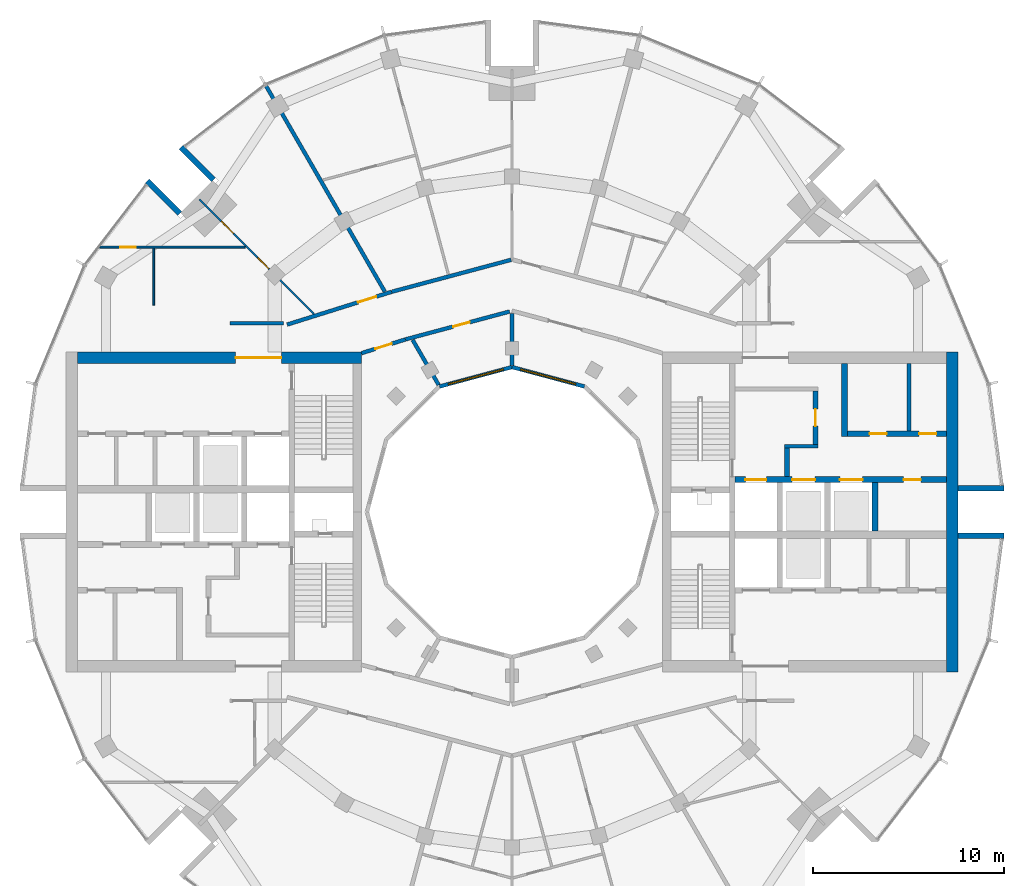
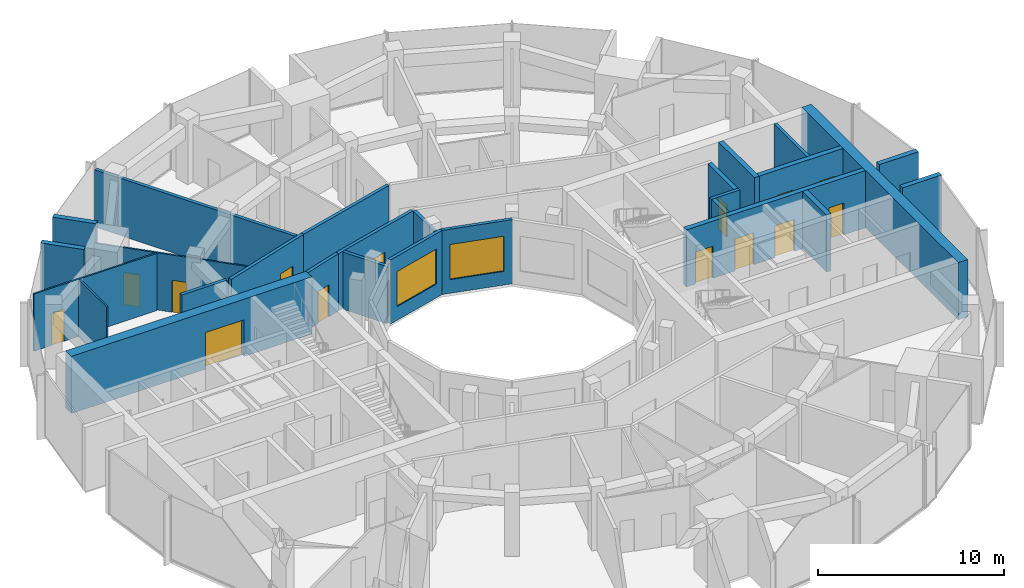
# One storey, part 11 of 15: 27 walls, 14 doors, 2 windows, 16 openings.
"""IFC4 building model written with IfcOpenShell, lengths in metres."""

from ifc_helpers import new_model, si_unit, direction, frame, frame_2d, origin, place, context, subcontext, project, spatial, rectangle, extrude, material, layer, layer_set, type_object, element, fill, save


model = new_model("IFC4")

# Units and contexts
model_context = context("Model", 3, precision=1e-05, world=origin(), true_north=direction((0.0, 1.0)))
body_context = subcontext(model_context, "Body", "Model", "MODEL_VIEW")
ifc_project = project(units=[si_unit("LENGTHUNIT", "METRE"), si_unit("AREAUNIT", "SQUARE_METRE"), si_unit("VOLUMEUNIT", "CUBIC_METRE"), si_unit("PLANEANGLEUNIT", "RADIAN"), si_unit("MASSUNIT", "GRAM", prefix="KILO")], contexts=[model_context])

# Site, building, storey
site_placement = place(None, origin())
site = spatial("IfcSite", under=ifc_project, at=site_placement, CompositionType="ELEMENT")
building_placement = place(site_placement, origin())
building = spatial("IfcBuilding", under=site, at=building_placement, Name="Torre Brocal", CompositionType="ELEMENT")
storey_placement = place(building_placement, frame((0.0, 0.0, 266.699951171875)))
storey = spatial("IfcBuildingStorey", under=building, at=storey_placement, Name="L61", CompositionType="ELEMENT", Elevation=266.699951171875)

# Walls
ifc_material_1 = material(Name="Masonry block", Category="masonry")
ifc_layer_1 = layer(ifc_material_1, 0.199951171875)
ifc_layer_set_1 = layer_set([ifc_layer_1], Name="Masonry block")
wall_type_1 = type_object("IfcWallType", Name="CORE PARTITION 200 UNDER 450 SLAB", PredefinedType="PARTITIONING", material=ifc_layer_set_1)
wall_1_placement = place(storey_placement, frame((100.823974609375, 79.25, 0.0), z_axis=(0.0, 0.0, 1.0), x_axis=(0.0, 1.0, 0.0)))
element("IfcWall", 1, at=wall_1_placement, inside=storey, type_object=wall_type_1, Name="Wall CP200-S450", PredefinedType="PARTITIONING", context=body_context, shape_type="SweptSolid", body=[
    extrude(rectangle(XDim=3.550048828125, YDim=0.199951171875, at=frame_2d((1.77490234375, 0.0))), origin(), (0.0, 0.0, 1.0), 3.75),
])
ifc_material_2 = material(Name="Concrete C60", Category="concrete")
ifc_layer_2 = layer(ifc_material_2, 0.199951171875)
ifc_layer_set_2 = layer_set([ifc_layer_2], Name="Concrete C60")
wall_type_2 = type_object("IfcWallType", Name="CORE WALL 200 C60 UNDER 450 SLAB", PredefinedType="SHEAR", material=ifc_layer_set_2)
wall_2_placement = place(storey_placement, frame((94.300048828125, 78.449951171875, 0.0), z_axis=(0.0, 0.0, 1.0), x_axis=(1.0, 0.0, 0.0)))
element("IfcWall", 2, at=wall_2_placement, inside=storey, type_object=wall_type_2, Name="Wall CW200-60-S450", PredefinedType="SHEAR", context=body_context, shape_type="SweptSolid", body=[
    extrude(rectangle(XDim=1.75, YDim=0.199951171875, at=frame_2d((0.875, 0.0))), origin(), (0.0, 0.0, 1.0), 3.75),
])

# Wall, opening, door
ifc_material_3 = material(Name="Concrete C60", Category="concrete")
ifc_layer_3 = layer(ifc_material_3, 0.25)
ifc_layer_set_3 = layer_set([ifc_layer_3], Name="Concrete C60")
wall_type_3 = type_object("IfcWallType", Name="CORE WALL 250 C60 UNDER 450 SLAB", PredefinedType="SHEAR", material=ifc_layer_set_3)
wall_3_placement = place(storey_placement, frame((95.925048828125, 78.550048828125, 0.0), z_axis=(0.0, 0.0, 1.0), x_axis=(0.0, 1.0, 0.0)))
wall_3 = element("IfcWall", 3, at=wall_3_placement, inside=storey, type_object=wall_type_3, Name="Wall CW250-60-S450", PredefinedType="SHEAR", context=body_context, shape_type="SweptSolid", body=[
    extrude(rectangle(XDim=2.800048828125, YDim=0.25, at=frame_2d((1.39990234375, 0.0))), origin(), (0.0, 0.0, 1.0), 3.75),
])
opening_1_placement = place(wall_3_placement, frame((0.949951171875, 0.0, 0.0)))
opening_1 = element("IfcOpeningElement", 4, at=opening_1_placement, cuts=wall_3, Name="Opening E-D08", PredefinedType="OPENING", context=body_context, shape_type="SweptSolid", body=[
    extrude(rectangle(XDim=0.89990234375, YDim=2.10009765625, at=frame_2d((0.449951171875, 1.050048828125))), frame((0.0, 0.135009765625, 0.0), z_axis=(0.0, -1.0, 0.0), x_axis=(1.0, 0.0, 0.0)), (0.0, 0.0, 1.0), 0.27001953125),
])
ifc_material_4 = material(Name="Steel A653", Category="steel")
door_type_1 = type_object("IfcDoorType", Name="LOBBY DOOR FD120 900X2100", OperationType="SINGLE_SWING_RIGHT", PredefinedType="DOOR", material=ifc_material_4)
door_1_placement = place(opening_1_placement, origin())
door_1 = element("IfcDoor", 5, at=door_1_placement, inside=storey, type_object=door_type_1, Name="Door E-D08", OperationType="SINGLE_SWING_LEFT", OverallHeight=2.10009765625, OverallWidth=0.89990234375, PredefinedType="DOOR", context=body_context, shape_type="SweptSolid", body=[
    extrude(rectangle(XDim=0.89990234375, YDim=2.10009765625, at=frame_2d((0.449951171875, 1.050048828125))), frame((0.0, 0.02490234375, 0.0), z_axis=(0.0, -1.0, 0.0), x_axis=(1.0, 0.0, 0.0)), (0.0, 0.0, 1.0), 0.050048828125),
])
fill(opening_1, door_1)

# Wall
wall_4_placement = place(storey_placement, frame((94.425048828125, 76.85009765625, 0.0), z_axis=(0.0, 0.0, 1.0), x_axis=(0.0, 1.0, 0.0)))
element("IfcWall", 6, at=wall_4_placement, inside=storey, type_object=wall_type_3, Name="Wall CW250-60-S450", PredefinedType="SHEAR", context=body_context, shape_type="SweptSolid", body=[
    extrude(rectangle(XDim=1.5, YDim=0.25, at=frame_2d((0.75, 0.0))), origin(), (0.0, 0.0, 1.0), 3.75),
])

# Wall, openings, doors
ifc_material_5 = material(Name="Concrete C60", Category="concrete")
ifc_layer_4 = layer(ifc_material_5, 0.300048828125)
ifc_layer_set_4 = layer_set([ifc_layer_4], Name="Concrete C60")
wall_type_4 = type_object("IfcWallType", Name="CORE WALL 300 C60 UNDER 450 SLAB", PredefinedType="SHEAR", material=ifc_layer_set_4)
wall_5_placement = place(storey_placement, frame((91.699951171875, 76.699951171875, 0.0), z_axis=(0.0, 0.0, 1.0), x_axis=(1.0, 0.0, 0.0)))
wall_5 = element("IfcWall", 7, at=wall_5_placement, inside=storey, type_object=wall_type_4, Name="Wall CW300-60-S450", PredefinedType="SHEAR", context=body_context, shape_type="SweptSolid", body=[
    extrude(rectangle(XDim=11.10009765625, YDim=0.300048828125, at=frame_2d((5.550048828125, 0.0))), origin(), (0.0, 0.0, 1.0), 3.75),
])
opening_2_placement = place(wall_5_placement, frame((0.550048828125, 0.0, 0.0)))
opening_2 = element("IfcOpeningElement", 8, at=opening_2_placement, cuts=wall_5, Name="Opening LD", PredefinedType="OPENING", context=body_context, shape_type="SweptSolid", body=[
    extrude(rectangle(XDim=1.10009765625, YDim=2.10009765625, at=frame_2d((0.550048828125, 1.050048828125))), frame((0.0, 0.159912109375, 0.0), z_axis=(0.0, -1.0, 0.0), x_axis=(1.0, 0.0, 0.0)), (0.0, 0.0, 1.0), 0.320068359375),
])
opening_3_placement = place(wall_5_placement, frame((3.0, 0.0, 0.0)))
opening_3 = element("IfcOpeningElement", 9, at=opening_3_placement, cuts=wall_5, Name="Opening LD12", PredefinedType="OPENING", context=body_context, shape_type="SweptSolid", body=[
    extrude(rectangle(XDim=1.199951171875, YDim=2.10009765625, at=frame_2d((0.60009765625, 1.050048828125))), frame((0.0, 0.159912109375, 0.0), z_axis=(0.0, -1.0, 0.0), x_axis=(1.0, 0.0, 0.0)), (0.0, 0.0, 1.0), 0.320068359375),
])
opening_4_placement = place(wall_5_placement, frame((5.5, 0.0, 0.0)))
opening_4 = element("IfcOpeningElement", 10, at=opening_4_placement, cuts=wall_5, Name="Opening LD12", PredefinedType="OPENING", context=body_context, shape_type="SweptSolid", body=[
    extrude(rectangle(XDim=1.199951171875, YDim=2.10009765625, at=frame_2d((0.60009765625, 1.050048828125))), frame((0.0, 0.159912109375, 0.0), z_axis=(0.0, -1.0, 0.0), x_axis=(1.0, 0.0, 0.0)), (0.0, 0.0, 1.0), 0.320068359375),
])
opening_5_placement = place(wall_5_placement, frame((8.85009765625, 0.0, 0.0)))
opening_5 = element("IfcOpeningElement", 11, at=opening_5_placement, cuts=wall_5, Name="Opening E-D04", PredefinedType="OPENING", context=body_context, shape_type="SweptSolid", body=[
    extrude(rectangle(XDim=0.89990234375, YDim=2.10009765625, at=frame_2d((0.449951171875, 1.050048828125))), frame((0.0, 0.159912109375, 0.0), z_axis=(0.0, -1.0, 0.0), x_axis=(1.0, 0.0, 0.0)), (0.0, 0.0, 1.0), 0.320068359375),
])
ifc_material_6 = material(Name="Stainless steel AISI 316", Category="steel")
door_type_2 = type_object("IfcDoorType", Name="LIFT LANDING DOOR 1100X2100", OperationType="DOUBLE_DOOR_SLIDING", PredefinedType="DOOR", material=ifc_material_6)
door_2_placement = place(opening_2_placement, origin())
door_2 = element("IfcDoor", 12, at=door_2_placement, inside=storey, type_object=door_type_2, Name="Door LD", OperationType="DOUBLE_DOOR_SLIDING", OverallHeight=2.10009765625, OverallWidth=1.10009765625, PredefinedType="DOOR", context=body_context, shape_type="SweptSolid", body=[
    extrude(rectangle(XDim=1.10009765625, YDim=2.10009765625, at=frame_2d((0.550048828125, 1.050048828125))), frame((0.0, 0.02490234375, 0.0), z_axis=(0.0, -1.0, 0.0), x_axis=(1.0, 0.0, 0.0)), (0.0, 0.0, 1.0), 0.050048828125),
])
fill(opening_2, door_2)
ifc_material_7 = material(Name="Stainless steel AISI 316", Category="steel")
door_type_3 = type_object("IfcDoorType", Name="LIFT LANDING DOOR 1200X2100", OperationType="DOUBLE_DOOR_SLIDING", PredefinedType="DOOR", material=ifc_material_7)
door_3_placement = place(opening_3_placement, origin())
door_3 = element("IfcDoor", 13, at=door_3_placement, inside=storey, type_object=door_type_3, Name="Door LD12", OperationType="DOUBLE_DOOR_SLIDING", OverallHeight=2.10009765625, OverallWidth=1.199951171875, PredefinedType="DOOR", context=body_context, shape_type="SweptSolid", body=[
    extrude(rectangle(XDim=1.199951171875, YDim=2.10009765625, at=frame_2d((0.60009765625, 1.050048828125))), frame((0.0, 0.02490234375, 0.0), z_axis=(0.0, -1.0, 0.0), x_axis=(1.0, 0.0, 0.0)), (0.0, 0.0, 1.0), 0.050048828125),
])
fill(opening_3, door_3)
door_4_placement = place(opening_4_placement, origin())
door_4 = element("IfcDoor", 14, at=door_4_placement, inside=storey, type_object=door_type_3, Name="Door LD12", OperationType="DOUBLE_DOOR_SLIDING", OverallHeight=2.10009765625, OverallWidth=1.199951171875, PredefinedType="DOOR", context=body_context, shape_type="SweptSolid", body=[
    extrude(rectangle(XDim=1.199951171875, YDim=2.10009765625, at=frame_2d((0.60009765625, 1.050048828125))), frame((0.0, 0.02490234375, 0.0), z_axis=(0.0, -1.0, 0.0), x_axis=(1.0, 0.0, 0.0)), (0.0, 0.0, 1.0), 0.050048828125),
])
fill(opening_4, door_4)
ifc_material_8 = material(Name="Steel A653", Category="steel")
door_type_4 = type_object("IfcDoorType", Name="ROOM DOOR FD30S 900X2100", OperationType="SINGLE_SWING_LEFT", PredefinedType="DOOR", material=ifc_material_8)
door_5_placement = place(opening_5_placement, frame((0.89990234375, 0.0, 0.0), z_axis=(0.0, 0.0, 1.0), x_axis=(-1.0, 0.0, 0.0)))
door_5 = element("IfcDoor", 15, at=door_5_placement, inside=storey, type_object=door_type_4, Name="Door E-D04", OperationType="SINGLE_SWING_LEFT", OverallHeight=2.10009765625, OverallWidth=0.89990234375, PredefinedType="DOOR", context=body_context, shape_type="SweptSolid", body=[
    extrude(rectangle(XDim=0.89990234375, YDim=2.10009765625, at=frame_2d((0.449951171875, 1.050048828125))), frame((0.0, 0.02490234375, 0.0), z_axis=(0.0, -1.0, 0.0), x_axis=(1.0, 0.0, 0.0)), (0.0, 0.0, 1.0), 0.050048828125),
])
fill(opening_5, door_5)

# Walls
wall_6_placement = place(storey_placement, frame((99.050048828125, 74.0, 0.0), z_axis=(0.0, 0.0, 1.0), x_axis=(0.0, 1.0, 0.0)))
element("IfcWall", 16, at=wall_6_placement, inside=storey, type_object=wall_type_4, Name="Wall CW300-60-S450", PredefinedType="SHEAR", context=body_context, shape_type="SweptSolid", body=[
    extrude(rectangle(XDim=2.550048828125, YDim=0.300048828125, at=frame_2d((1.27490234375, 0.0))), origin(), (0.0, 0.0, 1.0), 3.75),
])
wall_7_placement = place(storey_placement, frame((97.449951171875, 78.949951171875, 0.0), z_axis=(0.0, 0.0, 1.0), x_axis=(0.0, 1.0, 0.0)))
element("IfcWall", 17, at=wall_7_placement, inside=storey, type_object=wall_type_4, Name="Wall CW300-60-S450", PredefinedType="SHEAR", context=body_context, shape_type="SweptSolid", body=[
    extrude(rectangle(XDim=3.85009765625, YDim=0.300048828125, at=frame_2d((1.925048828125, 0.0))), origin(), (0.0, 0.0, 1.0), 3.75),
])

# Wall, openings, doors
wall_8_placement = place(storey_placement, frame((97.60009765625, 79.10009765625, 0.0), z_axis=(0.0, 0.0, 1.0), x_axis=(1.0, 0.0, 0.0)))
wall_8 = element("IfcWall", 18, at=wall_8_placement, inside=storey, type_object=wall_type_4, Name="Wall CW300-60-S450", PredefinedType="SHEAR", context=body_context, shape_type="SweptSolid", body=[
    extrude(rectangle(XDim=5.199951171875, YDim=0.300048828125, at=frame_2d((2.60009765625, 0.0))), origin(), (0.0, 0.0, 1.0), 3.75),
])
opening_6_placement = place(wall_8_placement, frame((1.162109375, 0.0, 0.0)))
opening_6 = element("IfcOpeningElement", 19, at=opening_6_placement, cuts=wall_8, Name="Opening E-D09", PredefinedType="OPENING", context=body_context, shape_type="SweptSolid", body=[
    extrude(rectangle(XDim=0.89990234375, YDim=2.10009765625, at=frame_2d((0.449951171875, 1.050048828125))), frame((0.0, 0.159912109375, 0.0), z_axis=(0.0, -1.0, 0.0), x_axis=(1.0, 0.0, 0.0)), (0.0, 0.0, 1.0), 0.320068359375),
])
opening_7_placement = place(wall_8_placement, frame((3.761962890625, 0.0, 0.0)))
opening_7 = element("IfcOpeningElement", 20, at=opening_7_placement, cuts=wall_8, Name="Opening E-D10", PredefinedType="OPENING", context=body_context, shape_type="SweptSolid", body=[
    extrude(rectangle(XDim=0.89990234375, YDim=2.10009765625, at=frame_2d((0.449951171875, 1.050048828125))), frame((0.0, 0.159912109375, 0.0), z_axis=(0.0, -1.0, 0.0), x_axis=(1.0, 0.0, 0.0)), (0.0, 0.0, 1.0), 0.320068359375),
])
door_6_placement = place(opening_6_placement, origin())
door_6 = element("IfcDoor", 21, at=door_6_placement, inside=storey, type_object=door_type_4, Name="Door E-D09", OperationType="SINGLE_SWING_RIGHT", OverallHeight=2.10009765625, OverallWidth=0.89990234375, PredefinedType="DOOR", context=body_context, shape_type="SweptSolid", body=[
    extrude(rectangle(XDim=0.89990234375, YDim=2.10009765625, at=frame_2d((0.449951171875, 1.050048828125))), frame((0.0, 0.02490234375, 0.0), z_axis=(0.0, -1.0, 0.0), x_axis=(1.0, 0.0, 0.0)), (0.0, 0.0, 1.0), 0.050048828125),
])
fill(opening_6, door_6)
door_7_placement = place(opening_7_placement, origin())
door_7 = element("IfcDoor", 22, at=door_7_placement, inside=storey, type_object=door_type_4, Name="Door E-D10", OperationType="SINGLE_SWING_LEFT", OverallHeight=2.10009765625, OverallWidth=0.89990234375, PredefinedType="DOOR", context=body_context, shape_type="SweptSolid", body=[
    extrude(rectangle(XDim=0.89990234375, YDim=2.10009765625, at=frame_2d((0.449951171875, 1.050048828125))), frame((0.0, 0.02490234375, 0.0), z_axis=(0.0, -1.0, 0.0), x_axis=(1.0, 0.0, 0.0)), (0.0, 0.0, 1.0), 0.050048828125),
])
fill(opening_7, door_7)

# Wall
ifc_material_9 = material(Name="Concrete C60", Category="concrete")
ifc_layer_5 = layer(ifc_material_9, 0.60009765625)
ifc_layer_set_5 = layer_set([ifc_layer_5], Name="Concrete C60")
wall_type_5 = type_object("IfcWallType", Name="CORE WALL 600 C60 UNDER 450 SLAB", PredefinedType="SHEAR", material=ifc_layer_set_5)
wall_9_placement = place(storey_placement, frame((103.10009765625, 66.60009765625, 0.0), z_axis=(0.0, 0.0, 1.0), x_axis=(0.0, 1.0, 0.0)))
element("IfcWall", 23, at=wall_9_placement, inside=storey, type_object=wall_type_5, Name="Wall CW600-60-S450", PredefinedType="SHEAR", context=body_context, shape_type="SweptSolid", body=[
    extrude(rectangle(XDim=16.7998046875, YDim=0.60009765625, at=frame_2d((8.39990234375, 0.0))), origin(), (0.0, 0.0, 1.0), 3.75),
])

# Wall, opening, door
wall_10_placement = place(storey_placement, frame((72.10009765625, 83.10009765625, 0.0), z_axis=(0.0, 0.0, 1.0), x_axis=(-1.0, 0.0, 0.0)))
wall_10 = element("IfcWall", 24, at=wall_10_placement, inside=storey, type_object=wall_type_5, Name="Wall CW600-60-S450", PredefinedType="SHEAR", context=body_context, shape_type="SweptSolid", body=[
    extrude(rectangle(XDim=14.900146484375, YDim=0.60009765625, at=frame_2d((7.4501953125, 0.0))), origin(), (0.0, 0.0, 1.0), 3.75),
])
opening_8_placement = place(wall_10_placement, frame((4.199951171875, 0.0, 0.0)))
opening_8 = element("IfcOpeningElement", 25, at=opening_8_placement, cuts=wall_10, Name="Opening W-D12", PredefinedType="OPENING", context=body_context, shape_type="SweptSolid", body=[
    extrude(rectangle(XDim=2.39990234375, YDim=2.39990234375, at=frame_2d((1.199951171875, 1.199951171875))), frame((0.0, 0.31005859375, 0.0), z_axis=(0.0, -1.0, 0.0), x_axis=(1.0, 0.0, 0.0)), (0.0, 0.0, 1.0), 0.6201171875),
])
ifc_material_10 = material(Name="Steel A653", Category="steel")
door_type_5 = type_object("IfcDoorType", Name="DOUBLE FIRE DOOR FD90 2400X2400", OperationType="DOUBLE_DOOR_SINGLE_SWING", PredefinedType="DOOR", material=ifc_material_10)
door_8_placement = place(opening_8_placement, origin())
door_8 = element("IfcDoor", 26, at=door_8_placement, inside=storey, type_object=door_type_5, Name="Door W-D12", OperationType="DOUBLE_DOOR_SINGLE_SWING", OverallHeight=2.39990234375, OverallWidth=2.39990234375, PredefinedType="DOOR", context=body_context, shape_type="SweptSolid", body=[
    extrude(rectangle(XDim=2.39990234375, YDim=2.39990234375, at=frame_2d((1.199951171875, 1.199951171875))), frame((0.0, 0.02490234375, 0.0), z_axis=(0.0, -1.0, 0.0), x_axis=(1.0, 0.0, 0.0)), (0.0, 0.0, 1.0), 0.050048828125),
])
fill(opening_8, door_8)

# Walls
ifc_material_11 = material(Name="Concrete C60", Category="concrete")
ifc_layer_6 = layer(ifc_material_11, 0.300048828125)
ifc_layer_set_6 = layer_set([ifc_layer_6], Name="Concrete C60")
wall_type_6 = type_object("IfcWallType", Name="NOTCH RETURN WALL 300 C60", PredefinedType="NOTDEFINED", material=ifc_layer_set_6)
for number, where, z_axis, x_axis, name in (
    (27, (103.39990234375, 73.75, 0.0), (0.0, 0.0, 1.0), (1.0, 0.0, 0.0), "NOTCH RETURN WALL"),
    (28, (103.39990234375, 76.25, 0.0), (0.0, 0.0, 1.0), (1.0, 0.0, 0.0), "NOTCH RETURN WALL"),
    (29, (64.337646484375, 92.43017578125, 0.0), (0.0, 0.0, 1.0), (-0.707106781187, 0.707106781187, 0.0), "NOTCH RETURN WALL"),
    (30, (62.56982421875, 90.662353515625, 0.0), (0.0, 0.0, 1.0), (-0.707106781187, 0.707106781187, 0.0), "NOTCH RETURN WALL"),
):
    element("IfcWall", number, at=place(storey_placement, frame(where, z_axis=z_axis, x_axis=x_axis)), inside=storey, type_object=wall_type_6, Name=name, PredefinedType="NOTDEFINED", context=body_context, shape_type="SweptSolid", body=[
        extrude(rectangle(XDim=2.415771484375, YDim=0.300048828125, at=frame_2d((1.2080078125, 0.0))), origin(), (0.0, 0.0, 1.0), 4.199951171875),
    ])

# Wall, opening, door
ifc_material_12 = material(Name="Gypsum board", Category="Gypsum")
ifc_layer_7 = layer(ifc_material_12, 0.10009765625)
ifc_layer_set_7 = layer_set([ifc_layer_7], Name="Gypsum board")
wall_type_7 = type_object("IfcWallType", Name="PARTITION 100", PredefinedType="PARTITIONING", material=ifc_layer_set_7)
wall_11_placement = place(storey_placement, frame((58.37890625, 88.89990234375, 0.0), z_axis=(0.0, 0.0, 1.0), x_axis=(1.0, 0.0, 0.0)))
wall_11 = element("IfcWall", 31, at=wall_11_placement, inside=storey, type_object=wall_type_7, Name="BATHROOM WALL", PredefinedType="PARTITIONING", context=body_context, shape_type="SweptSolid", body=[
    extrude(rectangle(XDim=7.612060546875, YDim=0.10009765625, at=frame_2d((3.80615234375, 0.0))), origin(), (0.0, 0.0, 1.0), 3.75),
])
opening_9_placement = place(wall_11_placement, frame((1.075439453125, 0.0, 0.0)))
opening_9 = element("IfcOpeningElement", 32, at=opening_9_placement, cuts=wall_11, Name="Opening B05-D15", PredefinedType="OPENING", context=body_context, shape_type="SweptSolid", body=[
    extrude(rectangle(XDim=0.800048828125, YDim=2.10009765625, at=frame_2d((0.39990234375, 1.050048828125))), frame((0.0, 0.06005859375, 0.0), z_axis=(0.0, -1.0, 0.0), x_axis=(1.0, 0.0, 0.0)), (0.0, 0.0, 1.0), 0.1201171875),
])
ifc_material_13 = material(Name="Timber", Category="wood")
door_type_6 = type_object("IfcDoorType", Name="BATHROOM DOOR 800X2100", OperationType="SINGLE_SWING_LEFT", PredefinedType="DOOR", material=ifc_material_13)
door_9_placement = place(opening_9_placement, frame((0.800048828125, 0.0, 0.0), z_axis=(0.0, 0.0, 1.0), x_axis=(-1.0, 0.0, 0.0)))
door_9 = element("IfcDoor", 33, at=door_9_placement, inside=storey, type_object=door_type_6, Name="B05-D15", OperationType="SINGLE_SWING_LEFT", OverallHeight=2.10009765625, OverallWidth=0.800048828125, PredefinedType="DOOR", context=body_context, shape_type="SweptSolid", body=[
    extrude(rectangle(XDim=0.800048828125, YDim=2.10009765625, at=frame_2d((0.39990234375, 1.050048828125))), frame((0.0, 0.02490234375, 0.0), z_axis=(0.0, -1.0, 0.0), x_axis=(1.0, 0.0, 0.0)), (0.0, 0.0, 1.0), 0.050048828125),
])
fill(opening_9, door_9)

# Wall
wall_12_placement = place(storey_placement, frame((61.199951171875, 85.85498046875, 0.0), z_axis=(0.0, 0.0, 1.0), x_axis=(0.0, 1.0, 0.0)))
element("IfcWall", 34, at=wall_12_placement, inside=storey, type_object=wall_type_7, Name="BATHROOM WALL", PredefinedType="PARTITIONING", context=body_context, shape_type="SweptSolid", body=[
    extrude(rectangle(XDim=2.9951171875, YDim=0.10009765625, at=frame_2d((1.49755859375, 0.0))), origin(), (0.0, 0.0, 1.0), 3.75),
])

# Wall, openings, doors
wall_13_placement = place(storey_placement, frame((63.598388671875, 91.408203125, 0.0), z_axis=(0.0, 0.0, 1.0), x_axis=(0.706905682311, -0.707307822886, 0.0)))
wall_13 = element("IfcWall", 35, at=wall_13_placement, inside=storey, type_object=wall_type_7, Name="BATHROOM WALL", PredefinedType="PARTITIONING", context=body_context, shape_type="SweptSolid", body=[
    extrude(rectangle(XDim=8.49951171875, YDim=0.10009765625, at=frame_2d((4.249755859375, 0.0))), origin(), (0.0, 0.0, 1.0), 3.75),
])
opening_10_placement = place(wall_13_placement, frame((1.6318359375, 0.0, 0.0)))
opening_10 = element("IfcOpeningElement", 36, at=opening_10_placement, cuts=wall_13, Name="Opening B05-D14", PredefinedType="OPENING", context=body_context, shape_type="SweptSolid", body=[
    extrude(rectangle(XDim=0.89990234375, YDim=2.10009765625, at=frame_2d((0.449951171875, 1.050048828125))), frame((0.0, 0.06005859375, 0.0), z_axis=(0.0, -1.0, 0.0), x_axis=(1.0, 0.0, 0.0)), (0.0, 0.0, 1.0), 0.1201171875),
])
opening_11_placement = place(wall_13_placement, frame((4.336181640625, 0.0, 0.0)))
opening_11 = element("IfcOpeningElement", 37, at=opening_11_placement, cuts=wall_13, Name="Opening B05-D16", PredefinedType="OPENING", context=body_context, shape_type="SweptSolid", body=[
    extrude(rectangle(XDim=0.800048828125, YDim=2.10009765625, at=frame_2d((0.39990234375, 1.050048828125))), frame((0.0, 0.06005859375, 0.0), z_axis=(0.0, -1.0, 0.0), x_axis=(1.0, 0.0, 0.0)), (0.0, 0.0, 1.0), 0.1201171875),
])
door_10_placement = place(opening_11_placement, frame((0.800048828125, 0.0, 0.0), z_axis=(0.0, 0.0, 1.0), x_axis=(-1.0, 0.0, 0.0)))
door_10 = element("IfcDoor", 38, at=door_10_placement, inside=storey, type_object=door_type_6, Name="B05-D16", OperationType="SINGLE_SWING_RIGHT", OverallHeight=2.10009765625, OverallWidth=0.800048828125, PredefinedType="DOOR", context=body_context, shape_type="SweptSolid", body=[
    extrude(rectangle(XDim=0.800048828125, YDim=2.10009765625, at=frame_2d((0.39990234375, 1.050048828125))), frame((0.0, 0.02490234375, 0.0), z_axis=(0.0, -1.0, 0.0), x_axis=(1.0, 0.0, 0.0)), (0.0, 0.0, 1.0), 0.050048828125),
])
fill(opening_11, door_10)
ifc_material_14 = material(Name="Timber", Category="wood")
door_type_7 = type_object("IfcDoorType", Name="ROOM DOOR 900X2100", OperationType="SINGLE_SWING_LEFT", PredefinedType="DOOR", material=ifc_material_14)
door_11_placement = place(opening_10_placement, frame((0.89990234375, 0.0, 0.0), z_axis=(0.0, 0.0, 1.0), x_axis=(-1.0, 0.0, 0.0)))
door_11 = element("IfcDoor", 39, at=door_11_placement, inside=storey, type_object=door_type_7, Name="B05-D14", OperationType="SINGLE_SWING_LEFT", OverallHeight=2.10009765625, OverallWidth=0.89990234375, PredefinedType="DOOR", context=body_context, shape_type="SweptSolid", body=[
    extrude(rectangle(XDim=0.89990234375, YDim=2.10009765625, at=frame_2d((0.449951171875, 1.050048828125))), frame((0.0, 0.02490234375, 0.0), z_axis=(0.0, -1.0, 0.0), x_axis=(1.0, 0.0, 0.0)), (0.0, 0.0, 1.0), 0.050048828125),
])
fill(opening_10, door_11)

# Walls
ifc_material_15 = material(Name="Gypsum board", Category="Gypsum")
ifc_layer_8 = layer(ifc_material_15, 0.199951171875)
ifc_layer_set_8 = layer_set([ifc_layer_8], Name="Gypsum board")
wall_type_8 = type_object("IfcWallType", Name="PARTITION 200 EI60", PredefinedType="PARTITIONING", material=ifc_layer_set_8)
wall_14_placement = place(storey_placement, frame((65.199951171875, 84.89990234375, 0.0), z_axis=(0.0, 0.0, 1.0), x_axis=(1.0, 0.0, 0.0)))
element("IfcWall", 40, at=wall_14_placement, inside=storey, type_object=wall_type_8, Name="CORRIDOR WALL", PredefinedType="PARTITIONING", context=body_context, shape_type="SweptSolid", body=[
    extrude(rectangle(XDim=2.800048828125, YDim=0.199951171875, at=frame_2d((1.39990234375, 0.0))), origin(), (0.0, 0.0, 1.0), 3.75),
])
wall_15_placement = place(storey_placement, frame((67.103759765625, 97.343017578125, 0.0), z_axis=(0.0, 0.0, 1.0), x_axis=(0.499894524629, -0.866086291455, 0.0)))
element("IfcWall", 41, at=wall_15_placement, inside=storey, type_object=wall_type_8, Name="BATHROOM WALL", PredefinedType="PARTITIONING", context=body_context, shape_type="SweptSolid", body=[
    extrude(rectangle(XDim=12.446044921875, YDim=0.199951171875, at=frame_2d((6.22314453125, 0.0))), origin(), (0.0, 0.0, 1.0), 3.75),
])

# Wall, opening, door
wall_16_placement = place(storey_placement, frame((68.199951171875, 84.83349609375, 0.0), z_axis=(0.0, 0.0, 1.0), x_axis=(0.954204109499, 0.299156342762, 0.0)))
wall_16 = element("IfcWall", 42, at=wall_16_placement, inside=storey, type_object=wall_type_8, Name="FLAT ENTRANCE WALL", PredefinedType="PARTITIONING", context=body_context, shape_type="SweptSolid", body=[
    extrude(rectangle(XDim=5.740478515625, YDim=0.199951171875, at=frame_2d((2.8701171875, 0.0))), origin(), (0.0, 0.0, 1.0), 3.75),
])
opening_12_placement = place(wall_16_placement, frame((3.90283203125, 0.0, 0.0)))
opening_12 = element("IfcOpeningElement", 43, at=opening_12_placement, cuts=wall_16, Name="Opening B05-D13", PredefinedType="OPENING", context=body_context, shape_type="SweptSolid", body=[
    extrude(rectangle(XDim=1.0, YDim=2.10009765625, at=frame_2d((0.5, 1.050048828125))), frame((0.0, 0.10986328125, 0.0), z_axis=(0.0, -1.0, 0.0), x_axis=(1.0, 0.0, 0.0)), (0.0, 0.0, 1.0), 0.219970703125),
])
ifc_material_16 = material(Name="Timber", Category="wood")
door_type_8 = type_object("IfcDoorType", Name="FLAT ENTRY DOOR FD30S 1000X2100", OperationType="SINGLE_SWING_RIGHT", PredefinedType="DOOR", material=ifc_material_16)
door_12_placement = place(opening_12_placement, origin())
door_12 = element("IfcDoor", 44, at=door_12_placement, inside=storey, type_object=door_type_8, Name="B05-D13", OperationType="SINGLE_SWING_RIGHT", OverallHeight=2.10009765625, OverallWidth=1.0, PredefinedType="DOOR", context=body_context, shape_type="SweptSolid", body=[
    extrude(rectangle(XDim=1.0, YDim=2.10009765625, at=frame_2d((0.5, 1.050048828125))), frame((0.0, 0.02490234375, 0.0), z_axis=(0.0, -1.0, 0.0), x_axis=(1.0, 0.0, 0.0)), (0.0, 0.0, 1.0), 0.050048828125),
])
fill(opening_12, door_12)

wall_17_placement = place(storey_placement, frame((72.10009765625, 83.33203125, 0.0), z_axis=(0.0, 0.0, 1.0), x_axis=(0.954233106619, 0.299063836383, 0.0)))
wall_17 = element("IfcWall", 45, at=wall_17_placement, inside=storey, type_object=wall_type_8, Name="CORRIDOR WALL", PredefinedType="PARTITIONING", context=body_context, shape_type="SweptSolid", body=[
    extrude(rectangle(XDim=2.4140625, YDim=0.199951171875, at=frame_2d((1.20703125, 0.0))), origin(), (0.0, 0.0, 1.0), 3.75),
])
opening_13_placement = place(wall_17_placement, frame((0.761962890625, 0.0, 0.0)))
opening_13 = element("IfcOpeningElement", 46, at=opening_13_placement, cuts=wall_17, Name="Opening B05-D19", PredefinedType="OPENING", context=body_context, shape_type="SweptSolid", body=[
    extrude(rectangle(XDim=0.89990234375, YDim=2.10009765625, at=frame_2d((0.449951171875, 1.050048828125))), frame((0.0, 0.10986328125, 0.0), z_axis=(0.0, -1.0, 0.0), x_axis=(1.0, 0.0, 0.0)), (0.0, 0.0, 1.0), 0.219970703125),
])
door_13_placement = place(opening_13_placement, frame((0.89990234375, 0.0, 0.0), z_axis=(0.0, 0.0, 1.0), x_axis=(-1.0, 0.0, 0.0)))
door_13 = element("IfcDoor", 47, at=door_13_placement, inside=storey, type_object=door_type_7, Name="B05-D19", OperationType="SINGLE_SWING_RIGHT", OverallHeight=2.10009765625, OverallWidth=0.89990234375, PredefinedType="DOOR", context=body_context, shape_type="SweptSolid", body=[
    extrude(rectangle(XDim=0.89990234375, YDim=2.10009765625, at=frame_2d((0.449951171875, 1.050048828125))), frame((0.0, 0.02490234375, 0.0), z_axis=(0.0, -1.0, 0.0), x_axis=(1.0, 0.0, 0.0)), (0.0, 0.0, 1.0), 0.050048828125),
])
fill(opening_13, door_13)

# Wall
wall_18_placement = place(storey_placement, frame((73.68701171875, 86.55419921875, 0.0), z_axis=(0.0, 0.0, 1.0), x_axis=(0.965961994098, 0.258684027257, 0.0)))
element("IfcWall", 48, at=wall_18_placement, inside=storey, type_object=wall_type_8, Name="GUESTROOM CORRIDOR WALL", PredefinedType="PARTITIONING", context=body_context, shape_type="SweptSolid", body=[
    extrude(rectangle(XDim=6.485595703125, YDim=0.199951171875, at=frame_2d((3.24267578125, 0.0))), origin(), (0.0, 0.0, 1.0), 3.75),
])

# Wall, opening, door
wall_19_placement = place(storey_placement, frame((74.4130859375, 84.056884765625, 0.0), z_axis=(0.0, 0.0, 1.0), x_axis=(0.965972135939, 0.258646153246, 0.0)))
wall_19 = element("IfcWall", 49, at=wall_19_placement, inside=storey, type_object=wall_type_8, Name="CORRIDOR WALL", PredefinedType="PARTITIONING", context=body_context, shape_type="SweptSolid", body=[
    extrude(rectangle(XDim=5.654052734375, YDim=0.199951171875, at=frame_2d((2.8271484375, 0.0))), origin(), (0.0, 0.0, 1.0), 3.75),
])
opening_14_placement = place(wall_19_placement, frame((2.5927734375, 0.0, 0.0)))
opening_14 = element("IfcOpeningElement", 50, at=opening_14_placement, cuts=wall_19, Name="Opening B05-D18", PredefinedType="OPENING", context=body_context, shape_type="SweptSolid", body=[
    extrude(rectangle(XDim=0.89990234375, YDim=2.10009765625, at=frame_2d((0.449951171875, 1.050048828125))), frame((0.0, 0.10986328125, 0.0), z_axis=(0.0, -1.0, 0.0), x_axis=(1.0, 0.0, 0.0)), (0.0, 0.0, 1.0), 0.219970703125),
])
door_14_placement = place(opening_14_placement, frame((0.89990234375, 0.0, 0.0), z_axis=(0.0, 0.0, 1.0), x_axis=(-1.0, 0.0, 0.0)))
door_14 = element("IfcDoor", 51, at=door_14_placement, inside=storey, type_object=door_type_7, Name="B05-D18", OperationType="SINGLE_SWING_RIGHT", OverallHeight=2.10009765625, OverallWidth=0.89990234375, PredefinedType="DOOR", context=body_context, shape_type="SweptSolid", body=[
    extrude(rectangle(XDim=0.89990234375, YDim=2.10009765625, at=frame_2d((0.449951171875, 1.050048828125))), frame((0.0, 0.02490234375, 0.0), z_axis=(0.0, -1.0, 0.0), x_axis=(1.0, 0.0, 0.0)), (0.0, 0.0, 1.0), 0.050048828125),
])
fill(opening_14, door_14)

# Walls
wall_20_placement = place(storey_placement, frame((74.789306640625, 84.028076171875, 0.0), z_axis=(0.0, 0.0, 1.0), x_axis=(0.499905962189, -0.866079689733, 0.0)))
element("IfcWall", 52, at=wall_20_placement, inside=storey, type_object=wall_type_8, Name="SERVICE ROOM WALL", PredefinedType="PARTITIONING", context=body_context, shape_type="SweptSolid", body=[
    extrude(rectangle(XDim=2.7255859375, YDim=0.199951171875, at=frame_2d((1.36279296875, 0.0))), origin(), (0.0, 0.0, 1.0), 3.75),
])
wall_21_placement = place(storey_placement, frame((80.0, 82.699951171875, 0.0), z_axis=(0.0, 0.0, 1.0), x_axis=(0.0, 1.0, 0.0)))
element("IfcWall", 53, at=wall_21_placement, inside=storey, type_object=wall_type_8, Name="SERVICE ROOM WALL", PredefinedType="PARTITIONING", context=body_context, shape_type="SweptSolid", body=[
    extrude(rectangle(XDim=2.72314453125, YDim=0.199951171875, at=frame_2d((1.361572265625, 0.0))), origin(), (0.0, 0.0, 1.0), 3.75),
])

# Wall, opening, window
ifc_material_17 = material(Name="Concrete C40", Category="concrete")
ifc_layer_9 = layer(ifc_material_17, 0.199951171875)
ifc_layer_set_9 = layer_set([ifc_layer_9], Name="Concrete C40")
wall_type_9 = type_object("IfcWallType", Name="WELL FACADE WALL 200", PredefinedType="NOTDEFINED", material=ifc_layer_set_9)
wall_22_placement = place(storey_placement, frame((83.8017578125, 81.5849609375, 0.0), z_axis=(0.0, 0.0, 1.0), x_axis=(-0.965933654434, 0.258789828301, 0.0)))
wall_22 = element("IfcWall", 54, at=wall_22_placement, inside=storey, type_object=wall_type_9, Name="WELL FACADE WALL", PredefinedType="NOTDEFINED", context=body_context, shape_type="SweptSolid", body=[
    extrude(rectangle(XDim=3.935791015625, YDim=0.199951171875, at=frame_2d((1.9677734375, 0.0))), origin(), (0.0, 0.0, 1.0), 4.199951171875),
])
opening_15_placement = place(wall_22_placement, frame((0.468017578125, 0.0, 0.89990234375)))
opening_15 = element("IfcOpeningElement", 55, at=opening_15_placement, cuts=wall_22, Name="Opening W1", PredefinedType="OPENING", context=body_context, shape_type="SweptSolid", body=[
    extrude(rectangle(XDim=3.0, YDim=2.300048828125, at=frame_2d((1.5, 1.14990234375))), frame((0.0, 0.10986328125, 0.0), z_axis=(0.0, -1.0, 0.0), x_axis=(1.0, 0.0, 0.0)), (0.0, 0.0, 1.0), 0.219970703125),
])
ifc_material_18 = material(Name="Aluminium and glass", Category="aluminium")
window_type = type_object("IfcWindowType", Name="WELL WINDOW 3000X2300", PartitioningType="SINGLE_PANEL", PredefinedType="WINDOW", material=ifc_material_18)
window_1_placement = place(opening_15_placement, origin())
window_1 = element("IfcWindow", 56, at=window_1_placement, inside=storey, type_object=window_type, Name="WELL WINDOW 3000X2300", OverallHeight=2.300048828125, OverallWidth=3.0, PartitioningType="SINGLE_PANEL", PredefinedType="WINDOW", context=body_context, shape_type="SweptSolid", body=[
    extrude(rectangle(XDim=3.0, YDim=2.300048828125, at=frame_2d((1.5, 1.14990234375))), frame((0.0, 0.030029296875, 0.0), z_axis=(0.0, -1.0, 0.0), x_axis=(1.0, 0.0, 0.0)), (0.0, 0.0, 1.0), 0.06005859375),
])
fill(opening_15, window_1)

wall_23_placement = place(storey_placement, frame((80.0, 82.603515625, 0.0), z_axis=(0.0, 0.0, 1.0), x_axis=(-0.965933654434, -0.258789828301, 0.0)))
wall_23 = element("IfcWall", 57, at=wall_23_placement, inside=storey, type_object=wall_type_9, Name="WELL FACADE WALL", PredefinedType="NOTDEFINED", context=body_context, shape_type="SweptSolid", body=[
    extrude(rectangle(XDim=3.935791015625, YDim=0.199951171875, at=frame_2d((1.9677734375, 0.0))), origin(), (0.0, 0.0, 1.0), 4.199951171875),
])
opening_16_placement = place(wall_23_placement, frame((0.468017578125, 0.0, 0.89990234375)))
opening_16 = element("IfcOpeningElement", 58, at=opening_16_placement, cuts=wall_23, Name="Opening W1", PredefinedType="OPENING", context=body_context, shape_type="SweptSolid", body=[
    extrude(rectangle(XDim=3.0, YDim=2.300048828125, at=frame_2d((1.5, 1.14990234375))), frame((0.0, 0.10986328125, 0.0), z_axis=(0.0, -1.0, 0.0), x_axis=(1.0, 0.0, 0.0)), (0.0, 0.0, 1.0), 0.219970703125),
])
window_2_placement = place(opening_16_placement, origin())
window_2 = element("IfcWindow", 59, at=window_2_placement, inside=storey, type_object=window_type, Name="WELL WINDOW 3000X2300", OverallHeight=2.300048828125, OverallWidth=3.0, PartitioningType="SINGLE_PANEL", PredefinedType="WINDOW", context=body_context, shape_type="SweptSolid", body=[
    extrude(rectangle(XDim=3.0, YDim=2.300048828125, at=frame_2d((1.5, 1.14990234375))), frame((0.0, 0.030029296875, 0.0), z_axis=(0.0, -1.0, 0.0), x_axis=(1.0, 0.0, 0.0)), (0.0, 0.0, 1.0), 0.06005859375),
])
fill(opening_16, window_2)

save(model, "model.ifc")
